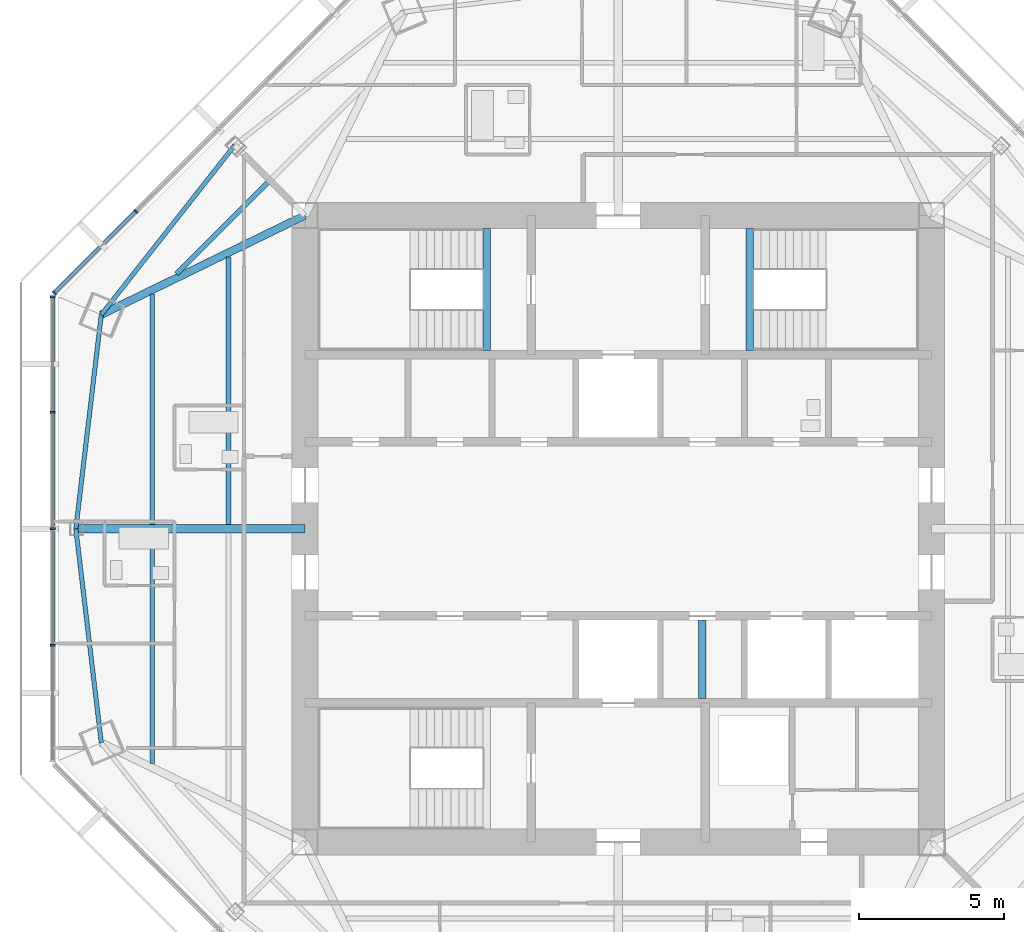
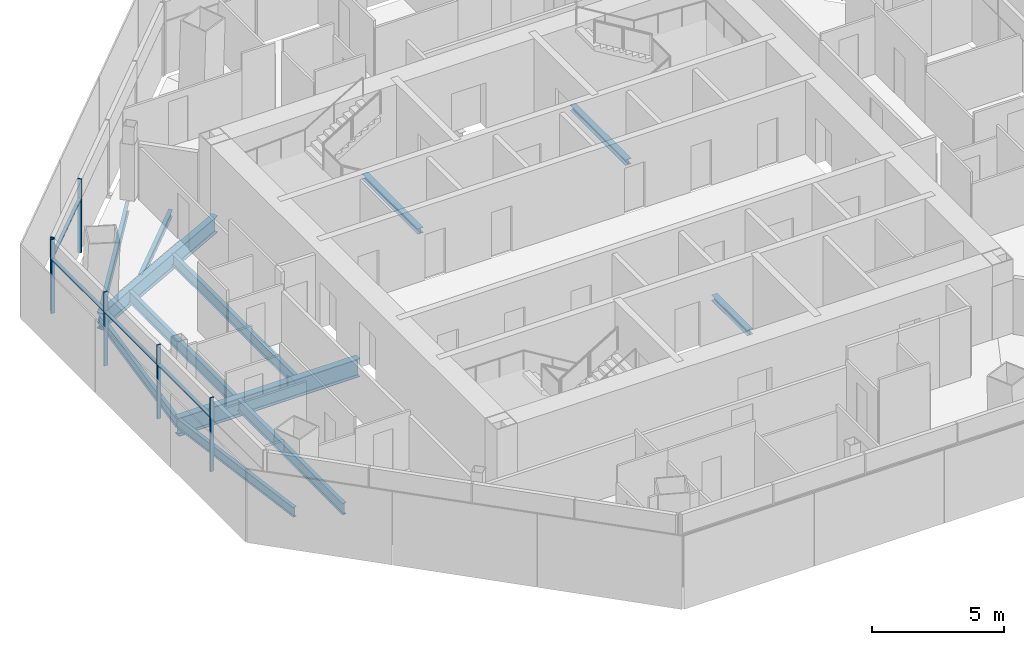
# One storey, part 4 of 15: 12 beams, 10 members, 2 elements without a shape of their own.
"""IFC4 building model written with IfcOpenShell, lengths in metres."""

from ifc_helpers import new_model, si_unit, direction, frame, origin, origin_2d, place, context, subcontext, project, spatial, rectangle, i_section, extrude, source, transform, mapped, material, material_profile, profile_set, type_object, type_shapes, element, aggregate, save


model = new_model("IFC4")

# Units and contexts
model_context = context("Model", 3, precision=1e-05, world=origin(), true_north=direction((0.0, 1.0)))
body_context = subcontext(model_context, "Body", "Model", "MODEL_VIEW")
ifc_project = project(units=[si_unit("LENGTHUNIT", "METRE"), si_unit("AREAUNIT", "SQUARE_METRE"), si_unit("VOLUMEUNIT", "CUBIC_METRE"), si_unit("PLANEANGLEUNIT", "RADIAN"), si_unit("MASSUNIT", "GRAM", prefix="KILO")], contexts=[model_context])

# Site, building, storey
site_placement = place(None, origin())
site = spatial("IfcSite", under=ifc_project, at=site_placement, CompositionType="ELEMENT")
building_placement = place(site_placement, origin())
building = spatial("IfcBuilding", under=site, at=building_placement, Name="Mashrafa Tower", CompositionType="ELEMENT")
storey_placement = place(building_placement, frame((0.0, 0.0, 301.39990234375)))
storey = spatial("IfcBuildingStorey", under=building, at=storey_placement, Name="L74", CompositionType="ELEMENT", Elevation=301.39990234375)

# Beams
ifc_material_1 = material(Name="Steel ASTM A992", Category="steel")
ifc_material_profile_1 = material_profile(ifc_material_1, i_section(OverallWidth=0.164794921875, OverallDepth=0.309814453125, WebThickness=0.005859375, FlangeThickness=0.009765625, FilletRadius=0.007568359375, at=origin_2d()), Name="W12X26")
ifc_profile_set_1 = profile_set([ifc_material_profile_1], Name="Steel ASTM A992")
beam_type_1 = type_object("IfcBeamType", Name="Beam W12X26", PredefinedType="BEAM", material=ifc_profile_set_1)
beam_1_placement = place(storey_placement, frame((-15.230224609375, 8.78857421875, -0.354736328125), z_axis=(0.707106781187, 0.707106781187, 0.0), x_axis=(-0.707106781187, 0.707106781187, 0.0)))
element("IfcBeam", 1, at=beam_1_placement, inside=storey, type_object=beam_type_1, Name="Floor beam L74 003", PredefinedType="BEAM", context=body_context, shape_type="SweptSolid", body=[
    extrude(i_section(OverallWidth=0.164794921875, OverallDepth=0.309814453125, WebThickness=0.005859375, FlangeThickness=0.009765625, FilletRadius=0.007568359375, at=origin_2d()), origin(), (0.0, 0.0, 1.0), 4.465576171875),
])
ifc_material_2 = material(Name="Steel ASTM A992", Category="steel")
ifc_material_profile_2 = material_profile(ifc_material_2, i_section(OverallWidth=0.15234375, OverallDepth=0.449462890625, WebThickness=0.007568359375, FlangeThickness=0.0107421875, FilletRadius=0.01025390625, at=origin_2d()), Name="W18X35")
ifc_profile_set_2 = profile_set([ifc_material_profile_2], Name="Steel ASTM A992")
beam_type_2 = type_object("IfcBeamType", Name="Beam W18X35", PredefinedType="BEAM", material=ifc_profile_set_2)
for number, where, z_axis, x_axis, name in (
    (2, (-18.694091796875, 0.0, -0.4248046875), (0.118165843912, -0.992993873764, 0.0), (0.992993873764, 0.118165843912, 0.0), "Spandrel beam L74 041"),
    (3, (-17.81591796875, 7.379638671875, -0.4248046875), (-0.118165843912, -0.992993873764, 0.0), (0.992993873764, -0.118165843912, 0.0), "Spandrel beam L74 043"),
    (4, (-13.21875, 13.21875, -0.4248046875), (-0.618594559835, -0.785710360466, 0.0), (0.785710360466, -0.618594559835, 0.0), "Spandrel beam L74 045"),
):
    element("IfcBeam", number, at=place(storey_placement, frame(where, z_axis=z_axis, x_axis=x_axis)), inside=storey, type_object=beam_type_2, Name=name, PredefinedType="BEAM", context=body_context, shape_type="SweptSolid", body=[
        extrude(i_section(OverallWidth=0.15234375, OverallDepth=0.449462890625, WebThickness=0.007568359375, FlangeThickness=0.0107421875, FilletRadius=0.01025390625, at=origin_2d()), origin(), (0.0, 0.0, 1.0), 7.431640625),
    ])
ifc_material_3 = material(Name="Steel ASTM A992", Category="steel")
ifc_material_profile_3 = material_profile(ifc_material_3, i_section(OverallWidth=0.165771484375, OverallDepth=0.5283203125, WebThickness=0.009765625, FlangeThickness=0.013671875, FilletRadius=0.012939453125, at=origin_2d()), Name="W21X50")
ifc_profile_set_3 = profile_set([ifc_material_profile_3], Name="Steel ASTM A992")
beam_type_3 = type_object("IfcBeamType", Name="Beam W21X50", PredefinedType="BEAM", material=ifc_profile_set_3)
for number, where, z_axis, x_axis, name in (
    (5, (-16.062744140625, -8.0859375, -0.464111328125), (0.0, 1.0, 0.0), (-1.0, 0.0, 0.0), "Floor beam L74 001"),
    (6, (-16.062744140625, 0.14599609375, -0.464111328125), (0.0, 1.0, 0.0), (-1.0, 0.0, 0.0), "Floor beam L74 002"),
):
    element("IfcBeam", number, at=place(storey_placement, frame(where, z_axis=z_axis, x_axis=x_axis)), inside=storey, type_object=beam_type_3, Name=name, PredefinedType="BEAM", context=body_context, shape_type="SweptSolid", body=[
        extrude(i_section(OverallWidth=0.165771484375, OverallDepth=0.5283203125, WebThickness=0.009765625, FlangeThickness=0.013671875, FilletRadius=0.012939453125, at=origin_2d()), origin(), (0.0, 0.0, 1.0), 7.93994140625),
    ])
beam_2_placement = place(storey_placement, frame((-13.431396484375, 0.14599609375, -0.464111328125), z_axis=(0.0, 1.0, 0.0), x_axis=(-1.0, 0.0, 0.0)))
element("IfcBeam", 7, at=beam_2_placement, inside=storey, type_object=beam_type_3, Name="Floor beam L74 005", PredefinedType="BEAM", context=body_context, shape_type="SweptSolid", body=[
    extrude(i_section(OverallWidth=0.165771484375, OverallDepth=0.5283203125, WebThickness=0.009765625, FlangeThickness=0.013671875, FilletRadius=0.012939453125, at=origin_2d()), origin(), (0.0, 0.0, 1.0), 9.222900390625),
])
ifc_material_4 = material(Name="Steel ASTM A992", Category="steel")
ifc_material_profile_4 = material_profile(ifc_material_4, i_section(OverallWidth=0.2666015625, OverallDepth=0.75439453125, WebThickness=0.01318359375, FlangeThickness=0.01708984375, FilletRadius=0.0166015625, at=origin_2d()), Name="W30X99")
ifc_profile_set_4 = profile_set([ifc_material_profile_4], Name="Steel ASTM A992")
beam_type_4 = type_object("IfcBeamType", Name="Beam W30X99", PredefinedType="BEAM", material=ifc_profile_set_4)
beam_3_placement = place(storey_placement, frame((-10.800048828125, 10.800048828125, -0.5771484375), z_axis=(-0.898867625946, -0.438220254011, 0.0), x_axis=(0.438220254011, -0.898867625946, 0.0)))
element("IfcBeam", 8, at=beam_3_placement, inside=storey, type_object=beam_type_4, Name="Radial girder L74 029", PredefinedType="BEAM", context=body_context, shape_type="SweptSolid", body=[
    extrude(i_section(OverallWidth=0.2666015625, OverallDepth=0.75439453125, WebThickness=0.01318359375, FlangeThickness=0.01708984375, FilletRadius=0.0166015625, at=origin_2d()), origin(), (0.0, 0.0, 1.0), 7.80517578125),
])
ifc_material_5 = material(Name="Steel ASTM A992", Category="steel")
ifc_material_profile_5 = material_profile(ifc_material_5, i_section(OverallWidth=0.2919921875, OverallDepth=0.8408203125, WebThickness=0.0146484375, FlangeThickness=0.021728515625, FilletRadius=0.017333984375, at=origin_2d()), Name="W33X130")
ifc_profile_set_5 = profile_set([ifc_material_profile_5], Name="Steel ASTM A992")
beam_type_5 = type_object("IfcBeamType", Name="Beam W33X130", PredefinedType="BEAM", material=ifc_profile_set_5)
beam_4_placement = place(storey_placement, frame((-10.800048828125, 0.0, -0.620361328125), z_axis=(-1.0, 0.0, 0.0), x_axis=(0.0, -1.0, 0.0)))
element("IfcBeam", 9, at=beam_4_placement, inside=storey, type_object=beam_type_5, Name="Radial girder L74 028", PredefinedType="BEAM", context=body_context, shape_type="SweptSolid", body=[
    extrude(i_section(OverallWidth=0.2919921875, OverallDepth=0.8408203125, WebThickness=0.0146484375, FlangeThickness=0.021728515625, FilletRadius=0.017333984375, at=origin_2d()), origin(), (0.0, 0.0, 1.0), 7.89404296875),
])
ifc_material_6 = material(Name="Steel ASTM A992", Category="steel")
ifc_material_profile_6 = material_profile(ifc_material_6, i_section(OverallWidth=0.25390625, OverallDepth=0.25390625, WebThickness=0.008544921875, FlangeThickness=0.01416015625, FilletRadius=0.010009765625, at=origin_2d()), Name="W10X49")
ifc_profile_set_6 = profile_set([ifc_material_profile_6], Name="Steel ASTM A992")
beam_type_6 = type_object("IfcBeamType", Name="Hoistway beam W10X49", PredefinedType="BEAM", material=ifc_profile_set_6)
beam_5_placement = place(storey_placement, frame((2.89990234375, -5.85009765625, -0.326904296875), z_axis=(0.0, 1.0, 0.0), x_axis=(-1.0, 0.0, 0.0)))
element("IfcBeam", 10, at=beam_5_placement, inside=storey, type_object=beam_type_6, Name="Hoistway beam L74 08", PredefinedType="BEAM", context=body_context, shape_type="SweptSolid", body=[
    extrude(i_section(OverallWidth=0.25390625, OverallDepth=0.25390625, WebThickness=0.008544921875, FlangeThickness=0.01416015625, FilletRadius=0.010009765625, at=origin_2d()), origin(), (0.0, 0.0, 1.0), 2.7001953125),
])
for number, where, z_axis, x_axis, name in (
    (11, (-4.530029296875, 6.14990234375, -0.326904296875), (0.0, 1.0, 0.0), (-1.0, 0.0, 0.0), "Stair S1 landing beam L74"),
    (12, (4.530029296875, 6.14990234375, -0.326904296875), (0.0, 1.0, 0.0), (-1.0, 0.0, 0.0), "Stair S2 landing beam L74"),
):
    element("IfcBeam", number, at=place(storey_placement, frame(where, z_axis=z_axis, x_axis=x_axis)), inside=storey, type_object=beam_type_6, Name=name, PredefinedType="BEAM", context=body_context, shape_type="SweptSolid", body=[
        extrude(i_section(OverallWidth=0.25390625, OverallDepth=0.25390625, WebThickness=0.008544921875, FlangeThickness=0.01416015625, FilletRadius=0.010009765625, at=origin_2d()), origin(), (0.0, 0.0, 1.0), 4.2001953125),
    ])

# Curtain wall, members
ifc_material_7 = material(Name="Unitised aluminium curtain wall", Category="aluminium")
curtain_wall_type = type_object("IfcCurtainWallType", Name="Apartment curtain wall, zone 4 CW-D 160 deep", PredefinedType="NOTDEFINED", material=ifc_material_7)
curtain_wall_1_placement = place(storey_placement, origin())
curtain_wall_1 = element("IfcCurtainWall", 13, at=curtain_wall_1_placement, inside=storey, type_object=curtain_wall_type, Name="Apartment curtain wall, zone 4 L74 north-west", PredefinedType="NOTDEFINED")
ifc_material_8 = material(Name="Extruded aluminium mullion", Category="aluminium")
ifc_material_profile_7 = material_profile(ifc_material_8, rectangle(XDim=0.159912109375, YDim=0.06005859375, at=origin_2d()), Name="Mullion 60x160")
ifc_profile_set_7 = profile_set([ifc_material_profile_7], Name="Extruded aluminium mullion")
member_type_1 = type_object("IfcMemberType", Name="Mullion CW-D 60 x 160", PredefinedType="MULLION", material=ifc_profile_set_7)
shared_shape_1 = source(origin(), body_context, "Body", "SweptSolid", [
    extrude(rectangle(XDim=0.159912109375, YDim=0.06005859375, at=origin_2d()), origin(), (0.0, 0.0, 1.0), 3.400146484375),
])
type_shapes(member_type_1, [shared_shape_1])
member_1_placement = place(storey_placement, frame((-16.619140625, 10.941650390625, 0.0), z_axis=(0.0, 0.0, 1.0), x_axis=(0.707106781187, -0.707106781187, 0.0)))
member_1 = element("IfcMember", 14, at=member_1_placement, type_object=member_type_1, Name="CW-D mullion 4", PredefinedType="MULLION", context=body_context, shape_type="MappedRepresentation", body=[
    mapped(shared_shape_1, transform((0.0, 0.0, 0.0))),
])
member_2_placement = place(storey_placement, frame((-19.436767578125, 8.1240234375, 0.0), z_axis=(0.0, 0.0, 1.0), x_axis=(0.707106781187, -0.707106781187, 0.0)))
member_2 = element("IfcMember", 15, at=member_2_placement, type_object=member_type_1, Name="CW-D mullion 5", PredefinedType="MULLION", context=body_context, shape_type="MappedRepresentation", body=[
    mapped(shared_shape_1, transform((0.0, 0.0, 0.0))),
])

curtain_wall_2_placement = place(storey_placement, origin())
curtain_wall_2 = element("IfcCurtainWall", 16, at=curtain_wall_2_placement, inside=storey, type_object=curtain_wall_type, Name="Apartment curtain wall, zone 4 L74 west", PredefinedType="NOTDEFINED")
member_3_placement = place(storey_placement, frame((-19.488525390625, 7.999267578125, 0.0), z_axis=(0.0, 0.0, 1.0), x_axis=(1.0, 0.0, 0.0)))
member_3 = element("IfcMember", 17, at=member_3_placement, type_object=member_type_1, Name="CW-D mullion 1", PredefinedType="MULLION", context=body_context, shape_type="MappedRepresentation", body=[
    mapped(shared_shape_1, transform((0.0, 0.0, 0.0))),
])
member_4_placement = place(storey_placement, frame((-19.488525390625, 4.0146484375, 0.0), z_axis=(0.0, 0.0, 1.0), x_axis=(1.0, 0.0, 0.0)))
member_4 = element("IfcMember", 18, at=member_4_placement, type_object=member_type_1, Name="CW-D mullion 2", PredefinedType="MULLION", context=body_context, shape_type="MappedRepresentation", body=[
    mapped(shared_shape_1, transform((0.0, 0.0, 0.0))),
])
member_5_placement = place(storey_placement, frame((-19.488525390625, 0.0, 0.0), z_axis=(0.0, 0.0, 1.0), x_axis=(1.0, 0.0, 0.0)))
member_5 = element("IfcMember", 19, at=member_5_placement, type_object=member_type_1, Name="CW-D mullion 3", PredefinedType="MULLION", context=body_context, shape_type="MappedRepresentation", body=[
    mapped(shared_shape_1, transform((0.0, 0.0, 0.0))),
])
member_6_placement = place(storey_placement, frame((-19.488525390625, -4.0146484375, 0.0), z_axis=(0.0, 0.0, 1.0), x_axis=(1.0, 0.0, 0.0)))
member_6 = element("IfcMember", 20, at=member_6_placement, type_object=member_type_1, Name="CW-D mullion 4", PredefinedType="MULLION", context=body_context, shape_type="MappedRepresentation", body=[
    mapped(shared_shape_1, transform((0.0, 0.0, 0.0))),
])

# Member
ifc_material_9 = material(Name="Extruded aluminium transom", Category="aluminium")
ifc_material_profile_8 = material_profile(ifc_material_9, rectangle(XDim=0.1279296875, YDim=0.074951171875, at=origin_2d()), Name="Transom 75x128")
ifc_profile_set_8 = profile_set([ifc_material_profile_8], Name="Extruded aluminium transom")
member_type_2 = type_object("IfcMemberType", Name="Transom CW-D 75 x 128", PredefinedType="MULLION", material=ifc_profile_set_8)
shared_shape_2 = source(origin(), body_context, "Body", "SweptSolid", [
    extrude(rectangle(XDim=0.1279296875, YDim=0.074951171875, at=origin_2d()), origin(), (0.0, 0.0, 1.0), 3.924560546875),
])
member_7_placement = place(storey_placement, frame((-16.640380859375, 10.92041015625, 2.5), z_axis=(-0.707106781187, -0.707106781187, 0.0), x_axis=(0.707106781187, -0.707106781187, 0.0)))
member_7 = element("IfcMember", 21, at=member_7_placement, type_object=member_type_2, Name="CW-D transom 4", PredefinedType="MULLION", context=body_context, shape_type="MappedRepresentation", body=[
    mapped(shared_shape_2, transform((0.0, 0.0, 0.0))),
])

aggregate(curtain_wall_1, [member_1, member_2, member_7])

member_8_placement = place(storey_placement, frame((-19.488525390625, 7.96923828125, 2.5), z_axis=(0.0, -1.0, 0.0), x_axis=(1.0, 0.0, 0.0)))
member_8 = element("IfcMember", 22, at=member_8_placement, type_object=member_type_2, Name="CW-D transom 1", PredefinedType="MULLION", context=body_context, shape_type="MappedRepresentation", body=[
    mapped(shared_shape_2, transform((0.0, 0.0, 0.0))),
])

shared_shape_3 = source(origin(), body_context, "Body", "SweptSolid", [
    extrude(rectangle(XDim=0.1279296875, YDim=0.074951171875, at=origin_2d()), origin(), (0.0, 0.0, 1.0), 3.95458984375),
])
type_shapes(member_type_2, [shared_shape_2, shared_shape_3])
member_9_placement = place(storey_placement, frame((-19.488525390625, 3.984619140625, 2.5), z_axis=(0.0, -1.0, 0.0), x_axis=(1.0, 0.0, 0.0)))
member_9 = element("IfcMember", 23, at=member_9_placement, type_object=member_type_2, Name="CW-D transom 2", PredefinedType="MULLION", context=body_context, shape_type="MappedRepresentation", body=[
    mapped(shared_shape_3, transform((0.0, 0.0, 0.0))),
])

member_10_placement = place(storey_placement, frame((-19.488525390625, -0.030029296875, 2.5), z_axis=(0.0, -1.0, 0.0), x_axis=(1.0, 0.0, 0.0)))
member_10 = element("IfcMember", 24, at=member_10_placement, type_object=member_type_2, Name="CW-D transom 3", PredefinedType="MULLION", context=body_context, shape_type="MappedRepresentation", body=[
    mapped(shared_shape_3, transform((0.0, 0.0, 0.0))),
])

aggregate(curtain_wall_2, [member_3, member_4, member_5, member_6, member_8, member_9, member_10])

save(model, "model.ifc")
